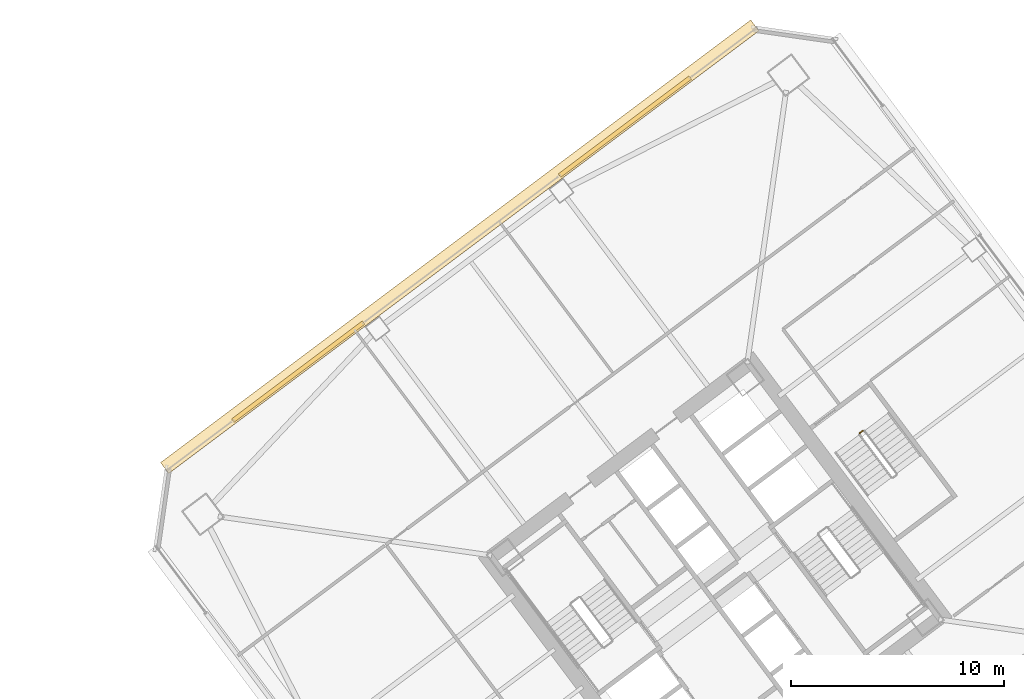
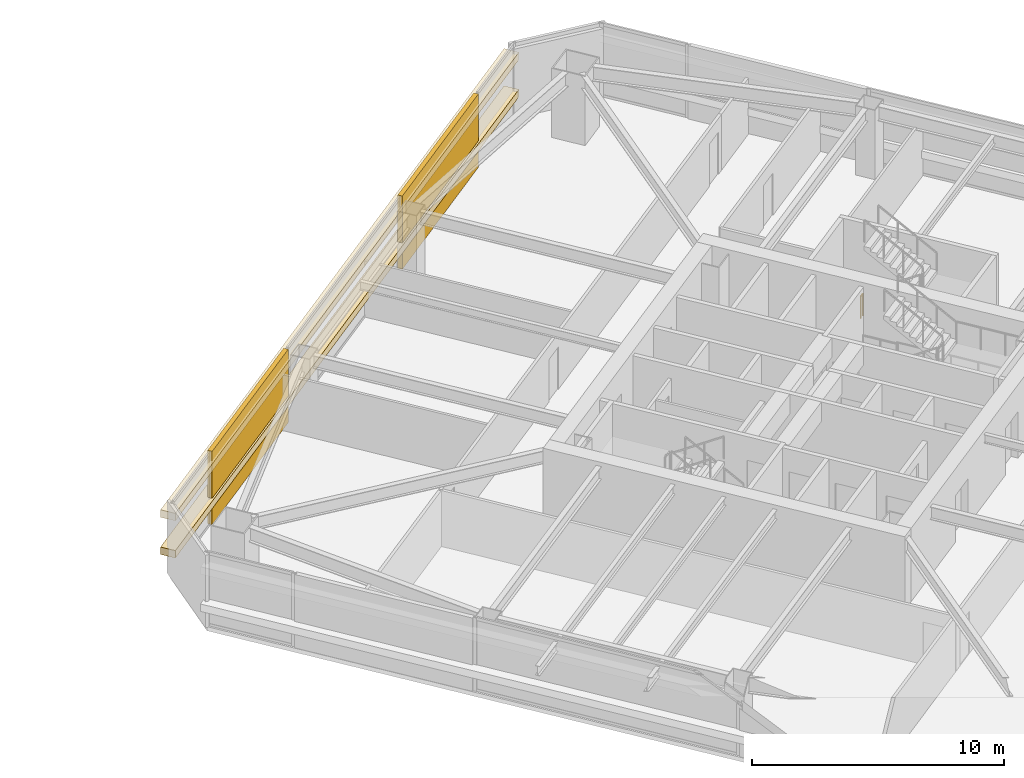
# One storey, part 46 of 47: 4 coverings, 1 railing.
"""IFC4 building model written with IfcOpenShell, lengths in metres."""

from ifc_helpers import new_model, si_unit, direction, frame, origin, origin_2d, place, context, subcontext, project, spatial, rectangle, extrude, material, layer, layer_set, type_object, element, save


model = new_model("IFC4")

# Units and contexts
model_context = context("Model", 3, precision=1e-05, world=origin(), true_north=direction((0.0, 1.0)))
body_context = subcontext(model_context, "Body", "Model", "MODEL_VIEW")
ifc_project = project(units=[si_unit("LENGTHUNIT", "METRE"), si_unit("AREAUNIT", "SQUARE_METRE"), si_unit("VOLUMEUNIT", "CUBIC_METRE"), si_unit("PLANEANGLEUNIT", "RADIAN"), si_unit("MASSUNIT", "GRAM", prefix="KILO")], contexts=[model_context])

# Site, building, storey
site_placement = place(None, origin())
site = spatial("IfcSite", under=ifc_project, at=site_placement, CompositionType="ELEMENT")
building_placement = place(site_placement, origin())
building = spatial("IfcBuilding", under=site, at=building_placement, Name="Tashvorn Skyway Center", CompositionType="ELEMENT")
storey_placement = place(building_placement, frame((0.0, 0.0, 81.39990234375)))
storey = spatial("IfcBuildingStorey", under=building, at=storey_placement, Name="L21", CompositionType="ELEMENT", Elevation=81.39990234375)

# Coverings
ifc_material_1 = material(Name="Precast concrete C40/50", Category="concrete")
ifc_layer_1 = layer(ifc_material_1, 0.199951171875)
ifc_layer_set_1 = layer_set([ifc_layer_1], Name="Precast concrete C40/50")
covering_type_1 = type_object("IfcCoveringType", Name="COV-BRACE-CLAD", PredefinedType="CLADDING", material=ifc_layer_set_1)
for number, where, z_axis, x_axis, name in (
    (1, (94.39208984375, 42.14404296875, 0.0), (0.0, 0.0, 1.0), (0.799999996291, 0.600000004945, 0.0), "Tower 2 L21 North Unitised Curtain Wall Mega-Brace Cladding Band 1"),
    (2, (109.751953125, 53.6640625, 0.0), (0.0, 0.0, 1.0), (0.799999996291, 0.600000004945, 0.0), "Tower 2 L21 North Unitised Curtain Wall Mega-Brace Cladding Band 2"),
):
    element("IfcCovering", number, at=place(storey_placement, frame(where, z_axis=z_axis, x_axis=x_axis)), inside=storey, type_object=covering_type_1, Name=name, PredefinedType="CLADDING", context=body_context, shape_type="SweptSolid", body=[
        extrude(rectangle(XDim=7.679931640625, YDim=0.199951171875, at=origin_2d()), origin(), (0.0, 0.0, 1.0), 3.550048828125),
    ])
ifc_material_2 = material(Name="Perforated ceramic-coated bronze aluminium solar screen", Category="aluminium")
ifc_layer_2 = layer(ifc_material_2, 0.85009765625)
ifc_layer_set_2 = layer_set([ifc_layer_2], Name="Perforated ceramic-coated bronze aluminium solar screen")
covering_type_2 = type_object("IfcCoveringType", Name="COV-SOLAR-BAND", PredefinedType="CLADDING", material=ifc_layer_set_2)
for number, where, z_axis, x_axis, name in (
    (3, (101.988037109375, 48.01611328125, 0.919921875), (0.0, 0.0, 1.0), (0.799999996291, 0.600000004945, 0.0), "L21 Perforated Ceramic-Metal Solar Screen Louvre Band North 1"),
    (4, (101.988037109375, 48.01611328125, 2.72021484375), (0.0, 0.0, 1.0), (0.799999996291, 0.600000004945, 0.0), "L21 Perforated Ceramic-Metal Solar Screen Louvre Band North 2"),
):
    element("IfcCovering", number, at=place(storey_placement, frame(where, z_axis=z_axis, x_axis=x_axis)), inside=storey, type_object=covering_type_2, Name=name, PredefinedType="CLADDING", context=body_context, shape_type="SweptSolid", body=[
        extrude(rectangle(XDim=34.679931640625, YDim=0.639892578125, at=origin_2d()), origin(), (0.0, 0.0, 1.0), 0.360107421875),
    ])

# Railing
ifc_material_3 = material(Name="Painted galvanized steel S355", Category="steel")
railing_type = type_object("IfcRailingType", Name="RAIL-STGUARD-1100", PredefinedType="GUARDRAIL", material=ifc_material_3)
railing_placement = place(storey_placement, frame((120.785888671875, 39.251953125, 0.0)))
element("IfcRailing", 5, at=railing_placement, inside=storey, type_object=railing_type, Name="L21 ST-T2-3 stair guard 4", PredefinedType="GUARDRAIL", context=body_context, shape_type="SweptSolid", body=[
    extrude(rectangle(XDim=0.048095703125, YDim=0.048095703125, at=origin_2d()), frame((0.0, 0.0, 1.076171875), z_axis=(0.8, 0.6, 0.0), x_axis=(-0.6, 0.8, 0.0)), (0.0, 0.0, 1.0), 0.2001953125),
    extrude(rectangle(XDim=0.0419921875, YDim=0.0419921875, at=origin_2d()), origin(), (0.0, 0.0, 1.0), 1.052001953125),
    extrude(rectangle(XDim=0.0419921875, YDim=0.0419921875, at=origin_2d()), frame((0.16015625, 0.1201171875, 0.0)), (0.0, 0.0, 1.0), 1.052001953125),
])

save(model, "model.ifc")
